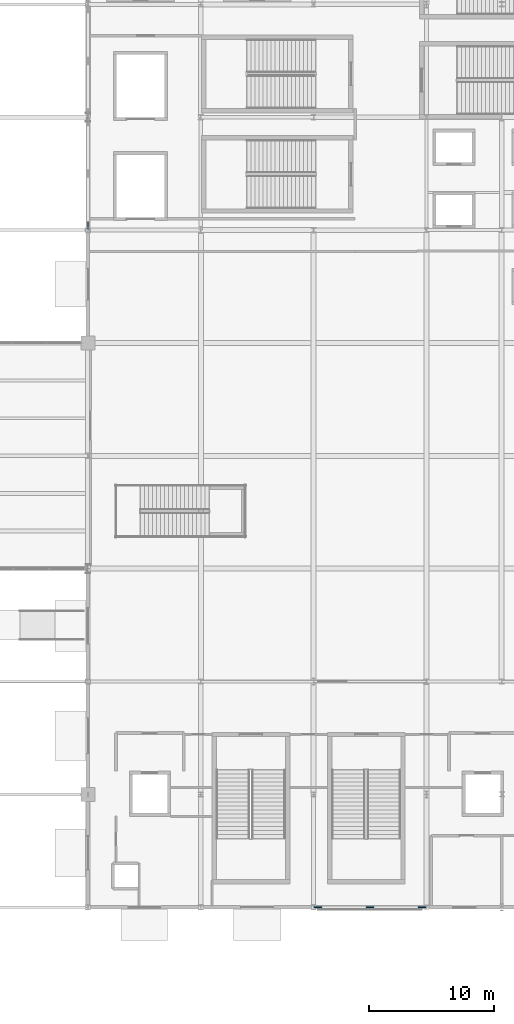
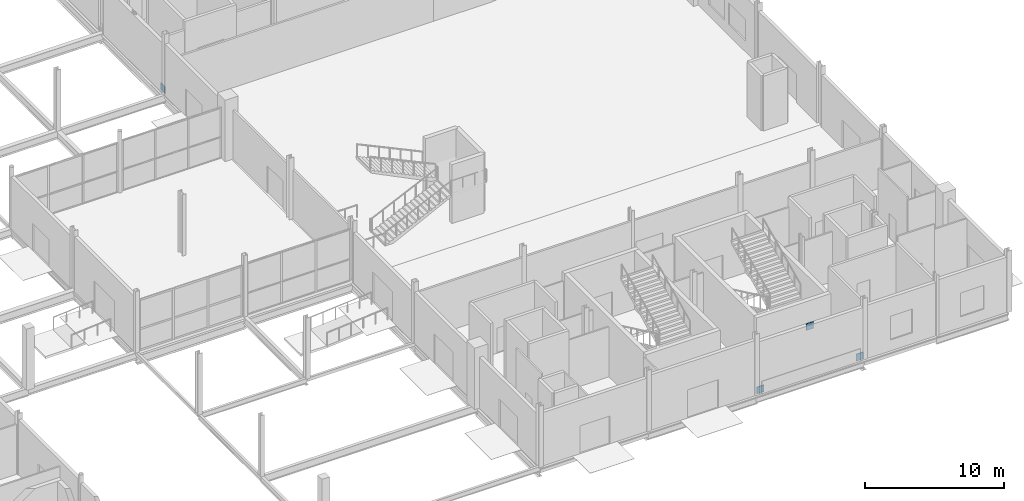
# One storey, part 51 of 94: 4 plates.
"""IFC4 building model written with IfcOpenShell, lengths in metres."""

from ifc_helpers import new_model, si_unit, direction, frame, origin, origin_2d, place, context, subcontext, project, spatial, rectangle, extrude, material, layer, layer_set, type_object, element, save


model = new_model("IFC4")

# Units and contexts
model_context = context("Model", 3, precision=1e-05, world=origin(), true_north=direction((0.0, 1.0)))
body_context = subcontext(model_context, "Body", "Model", "MODEL_VIEW")
ifc_project = project(units=[si_unit("LENGTHUNIT", "METRE"), si_unit("AREAUNIT", "SQUARE_METRE"), si_unit("VOLUMEUNIT", "CUBIC_METRE"), si_unit("PLANEANGLEUNIT", "RADIAN"), si_unit("MASSUNIT", "GRAM", prefix="KILO")], contexts=[model_context])

# Site, building, storey
site_placement = place(None, origin())
site = spatial("IfcSite", under=ifc_project, at=site_placement, CompositionType="ELEMENT")
building_placement = place(site_placement, origin())
building = spatial("IfcBuilding", under=site, at=building_placement, Name="Qamarlyn Nura Convention Centre", CompositionType="ELEMENT")
storey_placement = place(building_placement, origin())
storey = spatial("IfcBuildingStorey", under=building, at=storey_placement, Name="L00", CompositionType="ELEMENT", Elevation=0.0)

# Plates
ifc_material = material(Name="Structural steel ASTM A572 Grade 50", Category="steel")
ifc_layer = layer(ifc_material, 0.044921875, Name="GP-TN1")
ifc_layer_set = layer_set([ifc_layer], Name="Structural steel ASTM A572 Grade 50")
plate_type = type_object("IfcPlateType", Name="GP-TN1", PredefinedType="USERDEFINED", material=ifc_layer_set)
for number, where, z_axis, x_axis, name in (
    (1, (171.360107421875, 0.0, 0.0), (0.0, 0.0, 1.0), (1.0, 0.0, 0.0), "SCBF chevron brace gusset plate CBF-E1-L00-A"),
    (2, (179.639892578125, 0.0, 0.0), (0.0, 0.0, 1.0), (1.0, 0.0, 0.0), "SCBF chevron brace gusset plate CBF-E1-L00-B"),
    (3, (175.5, 0.0, 4.140869140625), (0.0, 0.0, 1.0), (1.0, 0.0, 0.0), "SCBF chevron brace gusset plate CBF-E1-L00-M"),
    (4, (153.0, 54.360107421875, 0.0), (0.0, 0.0, 1.0), (0.0, 1.0, 0.0), "SCBF chevron brace gusset plate CBF-E3-L00-A"),
):
    element("IfcPlate", number, at=place(storey_placement, frame(where, z_axis=z_axis, x_axis=x_axis)), inside=storey, type_object=plate_type, Name=name, ObjectType="GUSSET PLATE", PredefinedType="USERDEFINED", context=body_context, shape_type="SweptSolid", body=[
        extrude(rectangle(XDim=0.60009765625, YDim=0.044921875, at=origin_2d()), origin(), (0.0, 0.0, 1.0), 0.60009765625),
    ])

save(model, "model.ifc")
